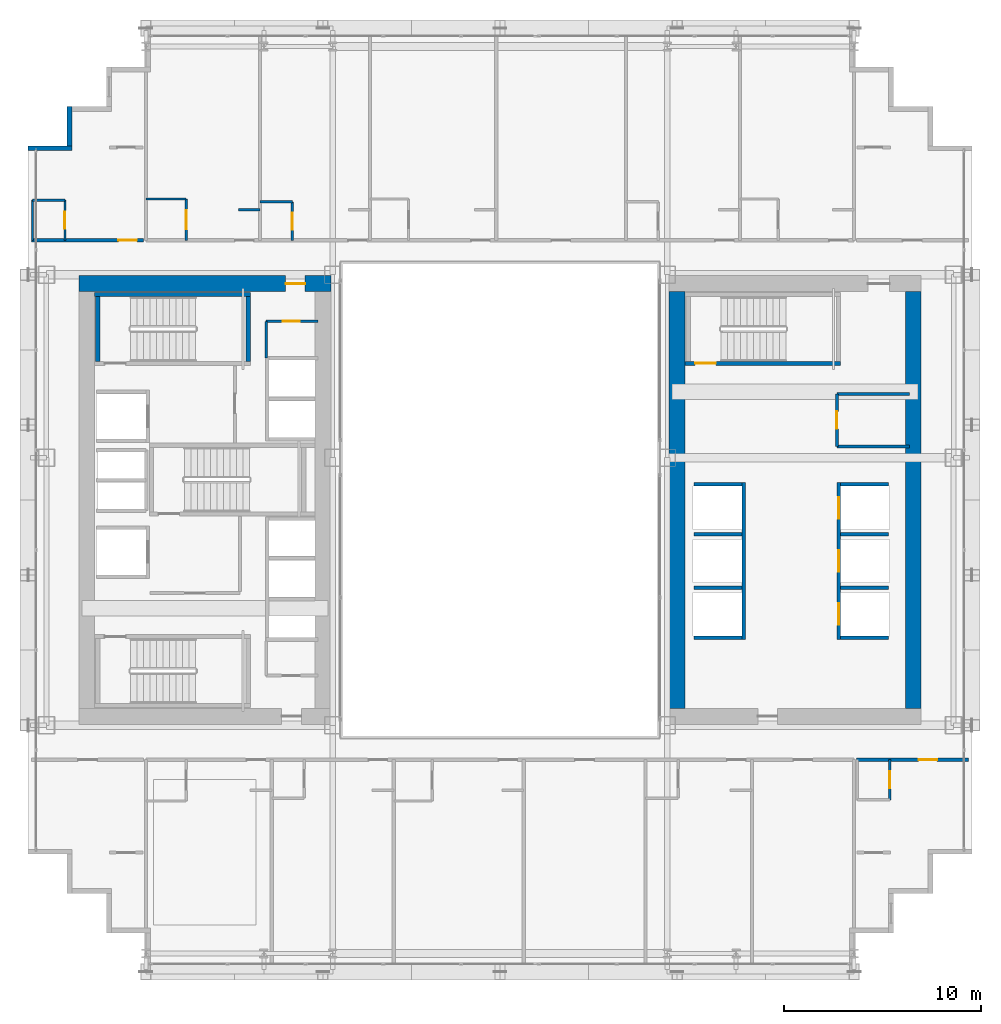
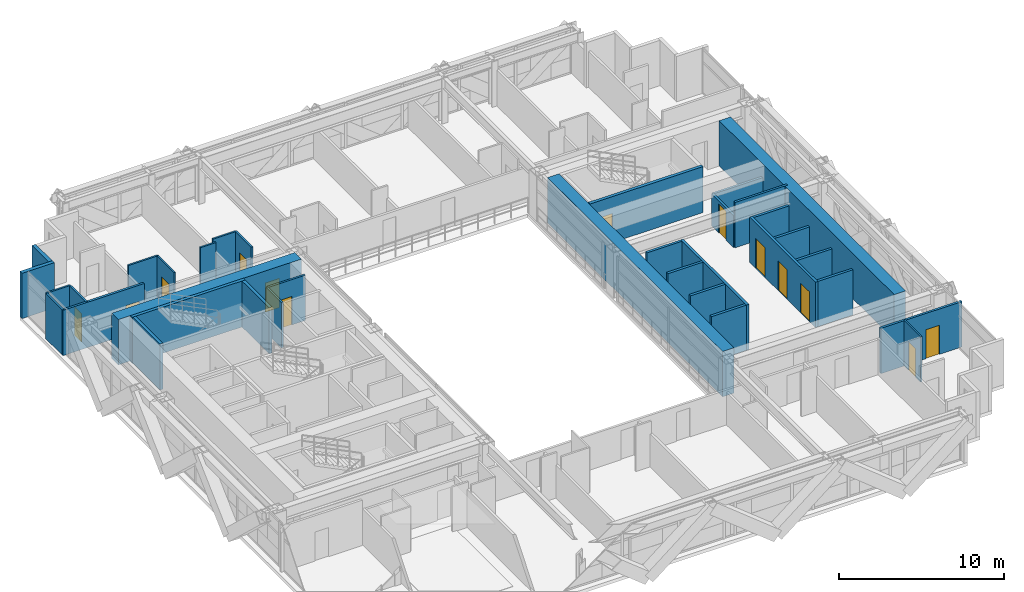
# One storey, part 35 of 41: 35 walls, 13 doors, 13 openings.
"""IFC4 building model written with IfcOpenShell, lengths in metres."""

from ifc_helpers import new_model, si_unit, direction, frame, frame_2d, origin, place, context, subcontext, project, spatial, rectangle, extrude, source, transform, mapped, material, layer, layer_set, type_object, element, fill, save


model = new_model("IFC4")

# Units and contexts
model_context = context("Model", 3, precision=1e-05, world=origin(), true_north=direction((0.0, 1.0)))
body_context = subcontext(model_context, "Body", "Model", "MODEL_VIEW")
ifc_project = project(units=[si_unit("LENGTHUNIT", "METRE"), si_unit("AREAUNIT", "SQUARE_METRE"), si_unit("VOLUMEUNIT", "CUBIC_METRE"), si_unit("PLANEANGLEUNIT", "RADIAN"), si_unit("MASSUNIT", "GRAM", prefix="KILO")], contexts=[model_context])

# Site, building, storey
site_placement = place(None, origin())
site = spatial("IfcSite", under=ifc_project, at=site_placement, CompositionType="ELEMENT")
building_placement = place(site_placement, origin())
building = spatial("IfcBuilding", under=site, at=building_placement, Name="Ocotamira Hotel", CompositionType="ELEMENT")
storey_placement = place(building_placement, frame((0.0, 0.0, 52.800048828125)))
storey = spatial("IfcBuildingStorey", under=building, at=storey_placement, Name="L12", CompositionType="ELEMENT", Elevation=52.800048828125)

# Wall, opening, door
ifc_material_1 = material(Name="Concrete C60/75", Category="concrete")
ifc_layer_1 = layer(ifc_material_1, 0.800048828125)
ifc_layer_set_1 = layer_set([ifc_layer_1], Name="Concrete C60/75")
wall_type_1 = type_object("IfcWallType", Name="WL-CORE-800", PredefinedType="SHEAR", material=ifc_layer_set_1)
wall_1_placement = place(storey_placement, frame((10.60009765625, 37.0, 0.0), z_axis=(0.0, 0.0, 1.0), x_axis=(1.0, 0.0, 0.0)))
wall_1 = element("IfcWall", 1, at=wall_1_placement, inside=storey, type_object=wall_type_1, Name="L12 Shear Core Wall WCORE-N", PredefinedType="SHEAR", context=body_context, shape_type="SweptSolid", body=[
    extrude(rectangle(XDim=12.7998046875, YDim=0.800048828125, at=frame_2d((6.39990234375, 0.0))), origin(), (0.0, 0.0, 1.0), 3.349853515625),
])
opening_1_placement = place(wall_1_placement, frame((10.5, 0.0, 0.0)))
opening_1 = element("IfcOpeningElement", 2, at=opening_1_placement, cuts=wall_1, Name="Opening D-FR2", PredefinedType="OPENING", context=body_context, shape_type="SweptSolid", body=[
    extrude(rectangle(XDim=1.0, YDim=2.14990234375, at=frame_2d((0.5, 1.074951171875))), frame((0.0, 0.41015625, 0.0), z_axis=(0.0, -1.0, 0.0), x_axis=(1.0, 0.0, 0.0)), (0.0, 0.0, 1.0), 0.820068359375),
])
ifc_material_2 = material(Name="Fire-rated acoustic timber-veneer door", Category="wood")
door_type_1 = type_object("IfcDoorType", Name="DR-FIRE-1000", OperationType="NOTDEFINED", PredefinedType="DOOR", material=ifc_material_2)
shared_shape_1 = source(origin(), body_context, "Body", "SweptSolid", [
    extrude(rectangle(XDim=1.0, YDim=2.14990234375, at=frame_2d((0.5, 1.074951171875))), frame((0.0, 0.02490234375, 0.0), z_axis=(0.0, -1.0, 0.0), x_axis=(1.0, 0.0, 0.0)), (0.0, 0.0, 1.0), 0.050048828125),
])
door_1_placement = place(opening_1_placement, origin())
door_1 = element("IfcDoor", 3, at=door_1_placement, inside=storey, type_object=door_type_1, Name="L12 Door ID-L12-WLOB-N-D [ID-L12-WLOB-N-D]", OperationType="SINGLE_SWING_RIGHT", OverallHeight=2.14990234375, OverallWidth=1.0, PredefinedType="DOOR", context=body_context, shape_type="MappedRepresentation", body=[
    mapped(shared_shape_1, transform((0.0, 0.0, 0.0), scale=1.0)),
])
fill(opening_1, door_1)

# Walls
for number, where, z_axis, x_axis, name in (
    (4, (41.0, 15.39990234375, 0.0), (0.0, 0.0, 1.0), (0.0, 1.0, 0.0), "L12 Shear Core Wall ECORE-W"),
    (5, (53.0, 15.39990234375, 0.0), (0.0, 0.0, 1.0), (0.0, 1.0, 0.0), "L12 Shear Core Wall ECORE-E"),
):
    element("IfcWall", number, at=place(storey_placement, frame(where, z_axis=z_axis, x_axis=x_axis)), inside=storey, type_object=wall_type_1, Name=name, PredefinedType="SHEAR", context=body_context, shape_type="SweptSolid", body=[
        extrude(rectangle(XDim=21.2001953125, YDim=0.800048828125, at=frame_2d((10.60009765625, 0.0))), origin(), (0.0, 0.0, 1.0), 3.349853515625),
    ])
ifc_material_3 = material(Name="Precast concrete C45/55", Category="concrete")
ifc_layer_2 = layer(ifc_material_3, 0.25)
ifc_layer_set_2 = layer_set([ifc_layer_2], Name="Precast concrete C45/55")
wall_type_2 = type_object("IfcWallType", Name="WL-EXT-SER-250", PredefinedType="SOLIDWALL", material=ifc_layer_set_2)
wall_2_placement = place(storey_placement, frame((10.125, 46.0, 0.0), z_axis=(0.0, 0.0, 1.0), x_axis=(0.0, -1.0, 0.0)))
element("IfcWall", 6, at=wall_2_placement, inside=storey, type_object=wall_type_2, Name="L12 Serrated Corner Wall 17", PredefinedType="SOLIDWALL", context=body_context, shape_type="SweptSolid", body=[
    extrude(rectangle(XDim=2.0, YDim=0.25, at=frame_2d((1.0, 0.0))), origin(), (0.0, 0.0, 1.0), 3.349853515625),
])
wall_3_placement = place(storey_placement, frame((10.25, 43.875, 0.0), z_axis=(0.0, 0.0, 1.0), x_axis=(-1.0, 0.0, 0.0)))
element("IfcWall", 7, at=wall_3_placement, inside=storey, type_object=wall_type_2, Name="L12 Serrated Corner Wall 18", PredefinedType="SOLIDWALL", context=body_context, shape_type="SweptSolid", body=[
    extrude(rectangle(XDim=2.25, YDim=0.25, at=frame_2d((1.125, 0.0))), origin(), (0.0, 0.0, 1.0), 3.349853515625),
])
ifc_material_4 = material(Name="Acoustic double-layer fire gypsum board partition", Category="gypsum")
ifc_layer_3 = layer(ifc_material_4, 0.159912109375)
ifc_layer_set_3 = layer_set([ifc_layer_3], Name="Acoustic double-layer fire gypsum board partition")
wall_type_3 = type_object("IfcWallType", Name="WL-FIRE-160", PredefinedType="PARTITIONING", material=ifc_layer_set_3)
wall_4_placement = place(storey_placement, frame((49.1201171875, 28.719970703125, 0.0), z_axis=(0.0, 0.0, 1.0), x_axis=(1.0, 0.0, 0.0)))
element("IfcWall", 8, at=wall_4_placement, inside=storey, type_object=wall_type_3, Name="L12 Interior Wall PW-L12-EC-NEC-S", PredefinedType="PARTITIONING", context=body_context, shape_type="SweptSolid", body=[
    extrude(rectangle(XDim=3.679931640625, YDim=0.159912109375, at=frame_2d((1.83984375, 0.0))), origin(), (0.0, 0.0, 1.0), 3.349853515625),
])
wall_5_placement = place(storey_placement, frame((49.1201171875, 31.3798828125, 0.0), z_axis=(0.0, 0.0, 1.0), x_axis=(1.0, 0.0, 0.0)))
element("IfcWall", 9, at=wall_5_placement, inside=storey, type_object=wall_type_3, Name="L12 Interior Wall PW-L12-EC-NEC-N", PredefinedType="PARTITIONING", context=body_context, shape_type="SweptSolid", body=[
    extrude(rectangle(XDim=3.679931640625, YDim=0.159912109375, at=frame_2d((1.83984375, 0.0))), origin(), (0.0, 0.0, 1.0), 2.35986328125),
])

# Wall, opening, door
wall_6_placement = place(storey_placement, frame((49.1201171875, 28.719970703125, 0.0), z_axis=(0.0, 0.0, 1.0), x_axis=(0.0, 1.0, 0.0)))
wall_6 = element("IfcWall", 10, at=wall_6_placement, inside=storey, type_object=wall_type_3, Name="L12 Interior Wall PW-L12-EC-NEC-W", PredefinedType="PARTITIONING", context=body_context, shape_type="SweptSolid", body=[
    extrude(rectangle(XDim=2.659912109375, YDim=0.159912109375, at=frame_2d((1.330078125, 0.0))), origin(), (0.0, 0.0, 1.0), 2.35986328125),
])
opening_2_placement = place(wall_6_placement, frame((0.89990234375, 0.0, 0.0)))
opening_2 = element("IfcOpeningElement", 11, at=opening_2_placement, cuts=wall_6, Name="Opening D-SV2", PredefinedType="OPENING", context=body_context, shape_type="SweptSolid", body=[
    extrude(rectangle(XDim=0.8798828125, YDim=2.14990234375, at=frame_2d((0.43994140625, 1.074951171875))), frame((0.0, 0.08984375, 0.0), z_axis=(0.0, -1.0, 0.0), x_axis=(1.0, 0.0, 0.0)), (0.0, 0.0, 1.0), 0.179931640625),
])
ifc_material_5 = material(Name="Fire-rated painted steel service door", Category="steel")
door_type_2 = type_object("IfcDoorType", Name="DR-SERV-880", OperationType="NOTDEFINED", PredefinedType="DOOR", material=ifc_material_5)
shared_shape_2 = source(origin(), body_context, "Body", "SweptSolid", [
    extrude(rectangle(XDim=0.8798828125, YDim=2.14990234375, at=frame_2d((0.43994140625, 1.074951171875))), frame((0.0, 0.02490234375, 0.0), z_axis=(0.0, -1.0, 0.0), x_axis=(1.0, 0.0, 0.0)), (0.0, 0.0, 1.0), 0.050048828125),
])
door_2_placement = place(opening_2_placement, origin())
door_2 = element("IfcDoor", 12, at=door_2_placement, inside=storey, type_object=door_type_2, Name="L12 Door ID-L12-EC-NEC-D [ID-L12-EC-NEC-D]", OperationType="SINGLE_SWING_LEFT", OverallHeight=2.14990234375, OverallWidth=0.8798828125, PredefinedType="DOOR", context=body_context, shape_type="MappedRepresentation", body=[
    mapped(shared_shape_2, transform((0.0, 0.0, 0.0), scale=1.0)),
])
fill(opening_2, door_2)

wall_7_placement = place(storey_placement, frame((50.1201171875, 12.800048828125, 0.0), z_axis=(0.0, 0.0, 1.0), x_axis=(1.0, 0.0, 0.0)))
wall_7 = element("IfcWall", 13, at=wall_7_placement, inside=storey, type_object=wall_type_3, Name="L12 Interior Wall PW-L12-Z1B-CSE-CW", PredefinedType="PARTITIONING", context=body_context, shape_type="SweptSolid", body=[
    extrude(rectangle(XDim=5.679931640625, YDim=0.159912109375, at=frame_2d((2.83984375, 0.0))), origin(), (0.0, 0.0, 1.0), 3.349853515625),
])
opening_3_placement = place(wall_7_placement, frame((3.14990234375, 0.0, 0.0)))
opening_3 = element("IfcOpeningElement", 14, at=opening_3_placement, cuts=wall_7, Name="Opening D-GR1", PredefinedType="OPENING", context=body_context, shape_type="SweptSolid", body=[
    extrude(rectangle(XDim=0.93994140625, YDim=2.14990234375, at=frame_2d((0.469970703125, 1.074951171875))), frame((0.0, 0.08984375, 0.0), z_axis=(0.0, -1.0, 0.0), x_axis=(1.0, 0.0, 0.0)), (0.0, 0.0, 1.0), 0.179931640625),
])
ifc_material_6 = material(Name="Solid-core walnut suite entrance fire door", Category="wood")
door_type_3 = type_object("IfcDoorType", Name="DR-GUEST-940", OperationType="NOTDEFINED", PredefinedType="DOOR", material=ifc_material_6)
shared_shape_3 = source(origin(), body_context, "Body", "SweptSolid", [
    extrude(rectangle(XDim=0.93994140625, YDim=2.14990234375, at=frame_2d((0.469970703125, 1.074951171875))), frame((0.0, 0.02490234375, 0.0), z_axis=(0.0, -1.0, 0.0), x_axis=(1.0, 0.0, 0.0)), (0.0, 0.0, 1.0), 0.050048828125),
])
door_3_placement = place(opening_3_placement, origin())
door_3 = element("IfcDoor", 15, at=door_3_placement, inside=storey, type_object=door_type_3, Name="L12 Door ID-L12-Z1B-CSE-CD [ID-L12-Z1B-CSE-CD]", OperationType="SINGLE_SWING_RIGHT", OverallHeight=2.14990234375, OverallWidth=0.93994140625, PredefinedType="DOOR", context=body_context, shape_type="MappedRepresentation", body=[
    mapped(shared_shape_3, transform((0.0, 0.0, 0.0), scale=1.0)),
])
fill(opening_3, door_3)

wall_8_placement = place(storey_placement, frame((8.199951171875, 39.199951171875, 0.0), z_axis=(0.0, 0.0, 1.0), x_axis=(1.0, 0.0, 0.0)))
wall_8 = element("IfcWall", 16, at=wall_8_placement, inside=storey, type_object=wall_type_3, Name="L12 Interior Wall PW-L12-Z1B-CNW-CW", PredefinedType="PARTITIONING", context=body_context, shape_type="SweptSolid", body=[
    extrude(rectangle(XDim=5.679931640625, YDim=0.159912109375, at=frame_2d((2.83984375, 0.0))), origin(), (0.0, 0.0, 1.0), 3.349853515625),
])
opening_4_placement = place(wall_8_placement, frame((4.39990234375, 0.0, 0.0)))
opening_4 = element("IfcOpeningElement", 17, at=opening_4_placement, cuts=wall_8, Name="Opening D-GR1", PredefinedType="OPENING", context=body_context, shape_type="SweptSolid", body=[
    extrude(rectangle(XDim=0.93994140625, YDim=2.14990234375, at=frame_2d((0.469970703125, 1.074951171875))), frame((0.0, 0.08984375, 0.0), z_axis=(0.0, -1.0, 0.0), x_axis=(1.0, 0.0, 0.0)), (0.0, 0.0, 1.0), 0.179931640625),
])
door_4_placement = place(opening_4_placement, origin())
door_4 = element("IfcDoor", 18, at=door_4_placement, inside=storey, type_object=door_type_3, Name="L12 Door ID-L12-Z1B-CNW-CD [ID-L12-Z1B-CNW-CD]", OperationType="SINGLE_SWING_RIGHT", OverallHeight=2.14990234375, OverallWidth=0.93994140625, PredefinedType="DOOR", context=body_context, shape_type="MappedRepresentation", body=[
    mapped(shared_shape_3, transform((0.0, 0.0, 0.0), scale=1.0)),
])
fill(opening_4, door_4)

ifc_material_7 = material(Name="Moisture-resistant en-suite tile and gypsum partition", Category="gypsum")
ifc_layer_4 = layer(ifc_material_7, 0.1201171875)
ifc_layer_set_4 = layer_set([ifc_layer_4], Name="Moisture-resistant en-suite tile and gypsum partition")
wall_type_4 = type_object("IfcWallType", Name="WL-PART-120", PredefinedType="PARTITIONING", material=ifc_layer_set_4)
wall_9_placement = place(storey_placement, frame((51.81005859375, 10.760009765625, 0.0), z_axis=(0.0, 0.0, 1.0), x_axis=(0.0, 1.0, 0.0)))
wall_9 = element("IfcWall", 19, at=wall_9_placement, inside=storey, type_object=wall_type_4, Name="L12 Interior Wall PW-L12-Z1B-CSE-BE", PredefinedType="PARTITIONING", context=body_context, shape_type="SweptSolid", body=[
    extrude(rectangle(XDim=2.0400390625, YDim=0.1201171875, at=frame_2d((1.02001953125, 0.0))), origin(), (0.0, 0.0, 1.0), 3.349853515625),
])
opening_5_placement = place(wall_9_placement, frame((0.590087890625, 0.0, 0.0)))
opening_5 = element("IfcOpeningElement", 20, at=opening_5_placement, cuts=wall_9, Name="Opening D-BA1", PredefinedType="OPENING", context=body_context, shape_type="SweptSolid", body=[
    extrude(rectangle(XDim=0.860107421875, YDim=2.10009765625, at=frame_2d((0.43017578125, 1.050048828125))), frame((0.0, 0.070068359375, 0.0), z_axis=(0.0, -1.0, 0.0), x_axis=(1.0, 0.0, 0.0)), (0.0, 0.0, 1.0), 0.14013671875),
])
ifc_material_8 = material(Name="Moisture-sealed en-suite timber door", Category="wood")
door_type_4 = type_object("IfcDoorType", Name="DR-BATH-860", OperationType="NOTDEFINED", PredefinedType="DOOR", material=ifc_material_8)
shared_shape_4 = source(origin(), body_context, "Body", "SweptSolid", [
    extrude(rectangle(XDim=0.860107421875, YDim=2.10009765625, at=frame_2d((0.43017578125, 1.050048828125))), frame((0.0, 0.02490234375, 0.0), z_axis=(0.0, -1.0, 0.0), x_axis=(1.0, 0.0, 0.0)), (0.0, 0.0, 1.0), 0.050048828125),
])
door_5_placement = place(opening_5_placement, origin())
door_5 = element("IfcDoor", 21, at=door_5_placement, inside=storey, type_object=door_type_4, Name="L12 Door ID-L12-Z1B-CSE-BD [ID-L12-Z1B-CSE-BD]", OperationType="SINGLE_SWING_LEFT", OverallHeight=2.10009765625, OverallWidth=0.860107421875, PredefinedType="DOOR", context=body_context, shape_type="MappedRepresentation", body=[
    mapped(shared_shape_4, transform((0.0, 0.0, 0.0), scale=1.0)),
])
fill(opening_5, door_5)

wall_10_placement = place(storey_placement, frame((9.889892578125, 39.199951171875, 0.0), z_axis=(0.0, 0.0, 1.0), x_axis=(0.0, 1.0, 0.0)))
wall_10 = element("IfcWall", 22, at=wall_10_placement, inside=storey, type_object=wall_type_4, Name="L12 Interior Wall PW-L12-Z1B-CNW-BE", PredefinedType="PARTITIONING", context=body_context, shape_type="SweptSolid", body=[
    extrude(rectangle(XDim=2.0400390625, YDim=0.1201171875, at=frame_2d((1.02001953125, 0.0))), origin(), (0.0, 0.0, 1.0), 3.349853515625),
])
opening_6_placement = place(wall_10_placement, frame((0.590087890625, 0.0, 0.0)))
opening_6 = element("IfcOpeningElement", 23, at=opening_6_placement, cuts=wall_10, Name="Opening D-BA1", PredefinedType="OPENING", context=body_context, shape_type="SweptSolid", body=[
    extrude(rectangle(XDim=0.860107421875, YDim=2.10009765625, at=frame_2d((0.43017578125, 1.050048828125))), frame((0.0, 0.070068359375, 0.0), z_axis=(0.0, -1.0, 0.0), x_axis=(1.0, 0.0, 0.0)), (0.0, 0.0, 1.0), 0.14013671875),
])
door_6_placement = place(opening_6_placement, origin())
door_6 = element("IfcDoor", 24, at=door_6_placement, inside=storey, type_object=door_type_4, Name="L12 Door ID-L12-Z1B-CNW-BD [ID-L12-Z1B-CNW-BD]", OperationType="SINGLE_SWING_LEFT", OverallHeight=2.10009765625, OverallWidth=0.860107421875, PredefinedType="DOOR", context=body_context, shape_type="MappedRepresentation", body=[
    mapped(shared_shape_4, transform((0.0, 0.0, 0.0), scale=1.0)),
])
fill(opening_6, door_6)

# Walls
wall_11_placement = place(storey_placement, frame((8.239990234375, 39.199951171875, 0.0), z_axis=(0.0, 0.0, 1.0), x_axis=(0.0, 1.0, 0.0)))
element("IfcWall", 25, at=wall_11_placement, inside=storey, type_object=wall_type_4, Name="L12 Interior Wall PW-L12-Z1B-CNW-BW", PredefinedType="PARTITIONING", context=body_context, shape_type="SweptSolid", body=[
    extrude(rectangle(XDim=2.0400390625, YDim=0.1201171875, at=frame_2d((1.02001953125, 0.0))), origin(), (0.0, 0.0, 1.0), 3.349853515625),
])
wall_12_placement = place(storey_placement, frame((8.239990234375, 41.239990234375, 0.0), z_axis=(0.0, 0.0, 1.0), x_axis=(1.0, 0.0, 0.0)))
element("IfcWall", 26, at=wall_12_placement, inside=storey, type_object=wall_type_4, Name="L12 Interior Wall PW-L12-Z1B-CNW-BH", PredefinedType="PARTITIONING", context=body_context, shape_type="SweptSolid", body=[
    extrude(rectangle(XDim=1.64990234375, YDim=0.1201171875, at=frame_2d((0.824951171875, 0.0))), origin(), (0.0, 0.0, 1.0), 3.349853515625),
])

# Wall, opening, door
wall_13_placement = place(storey_placement, frame((16.050048828125, 39.199951171875, 0.0), z_axis=(0.0, 0.0, 1.0), x_axis=(0.0, 1.0, 0.0)))
wall_13 = element("IfcWall", 27, at=wall_13_placement, inside=storey, type_object=wall_type_4, Name="L12 Interior Wall PW-L12-Z1BN-BAE1", PredefinedType="PARTITIONING", context=body_context, shape_type="SweptSolid", body=[
    extrude(rectangle(XDim=2.10009765625, YDim=0.1201171875, at=frame_2d((1.050048828125, 0.0))), origin(), (0.0, 0.0, 1.0), 3.349853515625),
])
opening_7_placement = place(wall_13_placement, frame((0.570068359375, 0.0, 0.0)))
opening_7 = element("IfcOpeningElement", 28, at=opening_7_placement, cuts=wall_13, Name="Opening D-IN1", PredefinedType="OPENING", context=body_context, shape_type="SweptSolid", body=[
    extrude(rectangle(XDim=0.9599609375, YDim=2.14990234375, at=frame_2d((0.47998046875, 1.074951171875))), frame((0.0, 0.070068359375, 0.0), z_axis=(0.0, -1.0, 0.0), x_axis=(1.0, 0.0, 0.0)), (0.0, 0.0, 1.0), 0.14013671875),
])
ifc_material_9 = material(Name="Accessible walnut interior room door", Category="wood")
door_type_5 = type_object("IfcDoorType", Name="DR-INT-960", OperationType="NOTDEFINED", PredefinedType="DOOR", material=ifc_material_9)
shared_shape_5 = source(origin(), body_context, "Body", "SweptSolid", [
    extrude(rectangle(XDim=0.9599609375, YDim=2.14990234375, at=frame_2d((0.47998046875, 1.074951171875))), frame((0.0, 0.02490234375, 0.0), z_axis=(0.0, -1.0, 0.0), x_axis=(1.0, 0.0, 0.0)), (0.0, 0.0, 1.0), 0.050048828125),
])
door_7_placement = place(opening_7_placement, origin())
door_7 = element("IfcDoor", 29, at=door_7_placement, inside=storey, type_object=door_type_5, Name="L12 Door ID-L12-Z1BN-BAD1 [ID-L12-Z1BN-BAD1]", OperationType="SINGLE_SWING_RIGHT", OverallHeight=2.14990234375, OverallWidth=0.9599609375, PredefinedType="DOOR", context=body_context, shape_type="MappedRepresentation", body=[
    mapped(shared_shape_5, transform((0.0, 0.0, 0.0), scale=1.0)),
])
fill(opening_7, door_7)

# Walls
wall_14_placement = place(storey_placement, frame((14.0, 41.300048828125, 0.0), z_axis=(0.0, 0.0, 1.0), x_axis=(1.0, 0.0, 0.0)))
element("IfcWall", 30, at=wall_14_placement, inside=storey, type_object=wall_type_4, Name="L12 Interior Wall PW-L12-Z1BN-BAN1", PredefinedType="PARTITIONING", context=body_context, shape_type="SweptSolid", body=[
    extrude(rectangle(XDim=2.050048828125, YDim=0.1201171875, at=frame_2d((1.02490234375, 0.0))), origin(), (0.0, 0.0, 1.0), 3.349853515625),
])
wall_15_placement = place(storey_placement, frame((18.699951171875, 40.75, 0.0), z_axis=(0.0, 0.0, 1.0), x_axis=(1.0, 0.0, 0.0)))
element("IfcWall", 31, at=wall_15_placement, inside=storey, type_object=wall_type_4, Name="L12 Interior Wall PW-L12-Z1BN-DRN1", PredefinedType="PARTITIONING", context=body_context, shape_type="SweptSolid", body=[
    extrude(rectangle(XDim=1.10009765625, YDim=0.1201171875, at=frame_2d((0.550048828125, 0.0))), origin(), (0.0, 0.0, 1.0), 3.349853515625),
])

# Wall, opening, door
wall_16_placement = place(storey_placement, frame((21.449951171875, 39.199951171875, 0.0), z_axis=(0.0, 0.0, 1.0), x_axis=(0.0, 1.0, 0.0)))
wall_16 = element("IfcWall", 32, at=wall_16_placement, inside=storey, type_object=wall_type_4, Name="L12 Interior Wall PW-L12-Z1BN-BAE2", PredefinedType="PARTITIONING", context=body_context, shape_type="SweptSolid", body=[
    extrude(rectangle(XDim=1.949951171875, YDim=0.1201171875, at=frame_2d((0.97509765625, 0.0))), origin(), (0.0, 0.0, 1.0), 3.349853515625),
])
opening_8_placement = place(wall_16_placement, frame((0.544921875, 0.0, 0.0)))
opening_8 = element("IfcOpeningElement", 33, at=opening_8_placement, cuts=wall_16, Name="Opening D-BA1", PredefinedType="OPENING", context=body_context, shape_type="SweptSolid", body=[
    extrude(rectangle(XDim=0.860107421875, YDim=2.10009765625, at=frame_2d((0.43017578125, 1.050048828125))), frame((0.0, 0.070068359375, 0.0), z_axis=(0.0, -1.0, 0.0), x_axis=(1.0, 0.0, 0.0)), (0.0, 0.0, 1.0), 0.14013671875),
])
door_8_placement = place(opening_8_placement, origin())
door_8 = element("IfcDoor", 34, at=door_8_placement, inside=storey, type_object=door_type_4, Name="L12 Door ID-L12-Z1BN-BAD2 [ID-L12-Z1BN-BAD2]", OperationType="SINGLE_SWING_LEFT", OverallHeight=2.10009765625, OverallWidth=0.860107421875, PredefinedType="DOOR", context=body_context, shape_type="MappedRepresentation", body=[
    mapped(shared_shape_4, transform((0.0, 0.0, 0.0), scale=1.0)),
])
fill(opening_8, door_8)

# Walls
wall_17_placement = place(storey_placement, frame((19.800048828125, 41.14990234375, 0.0), z_axis=(0.0, 0.0, 1.0), x_axis=(1.0, 0.0, 0.0)))
element("IfcWall", 35, at=wall_17_placement, inside=storey, type_object=wall_type_4, Name="L12 Interior Wall PW-L12-Z1BN-BAN2", PredefinedType="PARTITIONING", context=body_context, shape_type="SweptSolid", body=[
    extrude(rectangle(XDim=1.64990234375, YDim=0.1201171875, at=frame_2d((0.824951171875, 0.0))), origin(), (0.0, 0.0, 1.0), 3.349853515625),
])
ifc_material_10 = material(Name="Acoustic hospitality gypsum board partition", Category="gypsum")
ifc_layer_5 = layer(ifc_material_10, 0.14208984375)
ifc_layer_set_5 = layer_set([ifc_layer_5], Name="Acoustic hospitality gypsum board partition")
wall_type_5 = type_object("IfcWallType", Name="WL-PART-142", PredefinedType="PARTITIONING", material=ifc_layer_set_5)
wall_18_placement = place(storey_placement, frame((20.1201171875, 33.219970703125, 0.0), z_axis=(0.0, 0.0, 1.0), x_axis=(0.0, 1.0, 0.0)))
element("IfcWall", 36, at=wall_18_placement, inside=storey, type_object=wall_type_5, Name="L12 Interior Wall PW-L12-WC-NE-W2", PredefinedType="PARTITIONING", context=body_context, shape_type="SweptSolid", body=[
    extrude(rectangle(XDim=1.860107421875, YDim=0.14208984375, at=frame_2d((0.93017578125, 0.0))), origin(), (0.0, 0.0, 1.0), 3.349853515625),
])

# Wall, opening, door
wall_19_placement = place(storey_placement, frame((20.1201171875, 35.080078125, 0.0), z_axis=(0.0, 0.0, 1.0), x_axis=(1.0, 0.0, 0.0)))
wall_19 = element("IfcWall", 37, at=wall_19_placement, inside=storey, type_object=wall_type_5, Name="L12 Interior Wall PW-L12-WC-NE-N2", PredefinedType="PARTITIONING", context=body_context, shape_type="SweptSolid", body=[
    extrude(rectangle(XDim=2.6298828125, YDim=0.14208984375, at=frame_2d((1.31494140625, 0.0))), origin(), (0.0, 0.0, 1.0), 3.349853515625),
])
opening_9_placement = place(wall_19_placement, frame((0.85009765625, 0.0, 0.0)))
opening_9 = element("IfcOpeningElement", 38, at=opening_9_placement, cuts=wall_19, Name="Opening D-SV1", PredefinedType="OPENING", context=body_context, shape_type="SweptSolid", body=[
    extrude(rectangle(XDim=0.840087890625, YDim=2.10009765625, at=frame_2d((0.419921875, 1.050048828125))), frame((0.0, 0.0810546875, 0.0), z_axis=(0.0, -1.0, 0.0), x_axis=(1.0, 0.0, 0.0)), (0.0, 0.0, 1.0), 0.162109375),
])
door_type_6 = type_object("IfcDoorType", Name="DR-SERV-840", OperationType="NOTDEFINED", PredefinedType="DOOR", material=ifc_material_5)
shared_shape_6 = source(origin(), body_context, "Body", "SweptSolid", [
    extrude(rectangle(XDim=0.840087890625, YDim=2.10009765625, at=frame_2d((0.419921875, 1.050048828125))), frame((0.0, 0.02490234375, 0.0), z_axis=(0.0, -1.0, 0.0), x_axis=(1.0, 0.0, 0.0)), (0.0, 0.0, 1.0), 0.050048828125),
])
door_9_placement = place(opening_9_placement, origin())
door_9 = element("IfcDoor", 39, at=door_9_placement, inside=storey, type_object=door_type_6, Name="L12 Door ID-L12-WC-NE-D2 [ID-L12-WC-NE-D2]", OperationType="SINGLE_SWING_RIGHT", OverallHeight=2.10009765625, OverallWidth=0.840087890625, PredefinedType="DOOR", context=body_context, shape_type="MappedRepresentation", body=[
    mapped(shared_shape_6, transform((0.0, 0.0, 0.0), scale=1.0)),
])
fill(opening_9, door_9)

# Wall, openings, doors
ifc_material_11 = material(Name="Fire-rated gypsum shaftliner board assembly", Category="gypsum")
ifc_layer_6 = layer(ifc_material_11, 0.179931640625)
ifc_layer_set_6 = layer_set([ifc_layer_6], Name="Fire-rated gypsum shaftliner board assembly")
wall_type_6 = type_object("IfcWallType", Name="WL-SHAFT-180", PredefinedType="SOLIDWALL", material=ifc_layer_set_6)
wall_20_placement = place(storey_placement, frame((49.2099609375, 18.919921875, 0.0), z_axis=(0.0, 0.0, 1.0), x_axis=(0.0, 1.0, 0.0)))
wall_20 = element("IfcWall", 40, at=wall_20_placement, inside=storey, type_object=wall_type_6, Name="L12 Interior Wall PW-L12-LFW-BANK-low-F", PredefinedType="SOLIDWALL", context=body_context, shape_type="SweptSolid", body=[
    extrude(rectangle(XDim=7.9599609375, YDim=0.179931640625, at=frame_2d((3.97998046875, 0.0))), origin(), (0.0, 0.0, 1.0), 3.349853515625),
])
opening_10_placement = place(wall_20_placement, frame((0.72998046875, 0.0, 0.0)))
opening_10 = element("IfcOpeningElement", 41, at=opening_10_placement, cuts=wall_20, Name="Opening LD-LF-P1", PredefinedType="OPENING", context=body_context, shape_type="SweptSolid", body=[
    extrude(rectangle(XDim=1.10009765625, YDim=2.199951171875, at=frame_2d((0.550048828125, 1.10009765625))), frame((0.0, 0.10009765625, 0.0), z_axis=(0.0, -1.0, 0.0), x_axis=(1.0, 0.0, 0.0)), (0.0, 0.0, 1.0), 0.199951171875),
])
opening_11_placement = place(wall_20_placement, frame((3.429931640625, 0.0, 0.0)))
opening_11 = element("IfcOpeningElement", 42, at=opening_11_placement, cuts=wall_20, Name="Opening LD-LF-P2", PredefinedType="OPENING", context=body_context, shape_type="SweptSolid", body=[
    extrude(rectangle(XDim=1.10009765625, YDim=2.199951171875, at=frame_2d((0.550048828125, 1.10009765625))), frame((0.0, 0.10009765625, 0.0), z_axis=(0.0, -1.0, 0.0), x_axis=(1.0, 0.0, 0.0)), (0.0, 0.0, 1.0), 0.199951171875),
])
opening_12_placement = place(wall_20_placement, frame((6.1298828125, 0.0, 0.0)))
opening_12 = element("IfcOpeningElement", 43, at=opening_12_placement, cuts=wall_20, Name="Opening LD-LF-P3", PredefinedType="OPENING", context=body_context, shape_type="SweptSolid", body=[
    extrude(rectangle(XDim=1.10009765625, YDim=2.199951171875, at=frame_2d((0.550048828125, 1.10009765625))), frame((0.0, 0.10009765625, 0.0), z_axis=(0.0, -1.0, 0.0), x_axis=(1.0, 0.0, 0.0)), (0.0, 0.0, 1.0), 0.199951171875),
])
ifc_material_12 = material(Name="Brushed pale-metal stainless elevator landing door", Category="steel")
door_type_7 = type_object("IfcDoorType", Name="DR-LIFT-1100", OperationType="NOTDEFINED", PredefinedType="DOOR", material=ifc_material_12)
shared_shape_7 = source(origin(), body_context, "Body", "SweptSolid", [
    extrude(rectangle(XDim=1.10009765625, YDim=2.199951171875, at=frame_2d((0.550048828125, 1.10009765625))), frame((0.0, 0.02490234375, 0.0), z_axis=(0.0, -1.0, 0.0), x_axis=(1.0, 0.0, 0.0)), (0.0, 0.0, 1.0), 0.050048828125),
])
door_10_placement = place(opening_10_placement, origin())
door_10 = element("IfcDoor", 44, at=door_10_placement, inside=storey, type_object=door_type_7, Name="L12 Landing Door LD-LF-P1 [ID-L12-LD-LF-P1]", OperationType="DOUBLE_DOOR_SLIDING", OverallHeight=2.199951171875, OverallWidth=1.10009765625, PredefinedType="DOOR", context=body_context, shape_type="MappedRepresentation", body=[
    mapped(shared_shape_7, transform((0.0, 0.0, 0.0), scale=1.0)),
])
fill(opening_10, door_10)
door_11_placement = place(opening_11_placement, origin())
door_11 = element("IfcDoor", 45, at=door_11_placement, inside=storey, type_object=door_type_7, Name="L12 Landing Door LD-LF-P2 [ID-L12-LD-LF-P2]", OperationType="DOUBLE_DOOR_SLIDING", OverallHeight=2.199951171875, OverallWidth=1.10009765625, PredefinedType="DOOR", context=body_context, shape_type="MappedRepresentation", body=[
    mapped(shared_shape_7, transform((0.0, 0.0, 0.0), scale=1.0)),
])
fill(opening_11, door_11)
door_12_placement = place(opening_12_placement, origin())
door_12 = element("IfcDoor", 46, at=door_12_placement, inside=storey, type_object=door_type_7, Name="L12 Landing Door LD-LF-P3 [ID-L12-LD-LF-P3]", OperationType="DOUBLE_DOOR_SLIDING", OverallHeight=2.199951171875, OverallWidth=1.10009765625, PredefinedType="DOOR", context=body_context, shape_type="MappedRepresentation", body=[
    mapped(shared_shape_7, transform((0.0, 0.0, 0.0), scale=1.0)),
])
fill(opening_12, door_12)

# Walls
for number, where, z_axis, x_axis, name in (
    (47, (49.300048828125, 19.010009765625, 0.0), (0.0, 0.0, 1.0), (1.0, 0.0, 0.0), "L12 Interior Wall PW-L12-LFW-BANK-low-S"),
    (48, (49.300048828125, 26.7900390625, 0.0), (0.0, 0.0, 1.0), (1.0, 0.0, 0.0), "L12 Interior Wall PW-L12-LFW-BANK-low-N"),
    (49, (49.300048828125, 21.550048828125, 0.0), (0.0, 0.0, 1.0), (1.0, 0.0, 0.0), "L12 Interior Wall PW-L12-LFW-DIV-LF-P1"),
    (50, (49.300048828125, 24.25, 0.0), (0.0, 0.0, 1.0), (1.0, 0.0, 0.0), "L12 Interior Wall PW-L12-LFW-DIV-LF-P2"),
):
    element("IfcWall", number, at=place(storey_placement, frame(where, z_axis=z_axis, x_axis=x_axis)), inside=storey, type_object=wall_type_6, Name=name, PredefinedType="SOLIDWALL", context=body_context, shape_type="SweptSolid", body=[
        extrude(rectangle(XDim=2.449951171875, YDim=0.179931640625, at=frame_2d((1.22509765625, 0.0))), origin(), (0.0, 0.0, 1.0), 3.349853515625),
    ])
wall_21_placement = place(storey_placement, frame((44.389892578125, 18.919921875, 0.0), z_axis=(0.0, 0.0, 1.0), x_axis=(0.0, 1.0, 0.0)))
element("IfcWall", 51, at=wall_21_placement, inside=storey, type_object=wall_type_6, Name="L12 Interior Wall PW-L12-LFW-BANK-mid-F", PredefinedType="SOLIDWALL", context=body_context, shape_type="SweptSolid", body=[
    extrude(rectangle(XDim=7.9599609375, YDim=0.179931640625, at=frame_2d((3.97998046875, 0.0))), origin(), (0.0, 0.0, 1.0), 3.349853515625),
])
for number, where, z_axis, x_axis, name in (
    (52, (41.85009765625, 19.010009765625, 0.0), (0.0, 0.0, 1.0), (1.0, 0.0, 0.0), "L12 Interior Wall PW-L12-LFW-BANK-mid-S"),
    (53, (41.85009765625, 26.7900390625, 0.0), (0.0, 0.0, 1.0), (1.0, 0.0, 0.0), "L12 Interior Wall PW-L12-LFW-BANK-mid-N"),
    (54, (41.85009765625, 21.550048828125, 0.0), (0.0, 0.0, 1.0), (1.0, 0.0, 0.0), "L12 Interior Wall PW-L12-LFW-DIV-LF-P4"),
    (55, (41.85009765625, 24.25, 0.0), (0.0, 0.0, 1.0), (1.0, 0.0, 0.0), "L12 Interior Wall PW-L12-LFW-DIV-LF-P5"),
):
    element("IfcWall", number, at=place(storey_placement, frame(where, z_axis=z_axis, x_axis=x_axis)), inside=storey, type_object=wall_type_6, Name=name, PredefinedType="SOLIDWALL", context=body_context, shape_type="SweptSolid", body=[
        extrude(rectangle(XDim=2.449951171875, YDim=0.179931640625, at=frame_2d((1.22509765625, 0.0))), origin(), (0.0, 0.0, 1.0), 3.349853515625),
    ])
ifc_material_13 = material(Name="Concrete C50/60", Category="concrete")
ifc_layer_7 = layer(ifc_material_13, 0.219970703125)
ifc_layer_set_7 = layer_set([ifc_layer_7], Name="Concrete C50/60")
wall_type_7 = type_object("IfcWallType", Name="WL-STAIR-220", PredefinedType="SHEAR", material=ifc_layer_set_7)
wall_22_placement = place(storey_placement, frame((11.39990234375, 36.43994140625, 0.0), z_axis=(0.0, 0.0, 1.0), x_axis=(1.0, 0.0, 0.0)))
element("IfcWall", 56, at=wall_22_placement, inside=storey, type_object=wall_type_7, Name="L12 Stair Shaft Structural Wall ST-2-N", PredefinedType="SHEAR", context=body_context, shape_type="SweptSolid", body=[
    extrude(rectangle(XDim=7.91015625, YDim=0.219970703125, at=frame_2d((3.955078125, 0.0))), origin(), (0.0, 0.0, 1.0), 3.39990234375),
])
for number, where, z_axis, x_axis, name in (
    (57, (11.56005859375, 33.050048828125, 0.0), (0.0, 0.0, 1.0), (0.0, 1.0, 0.0), "L12 Stair Shaft Structural Wall ST-2-W"),
    (58, (19.199951171875, 33.050048828125, 0.0), (0.0, 0.0, 1.0), (0.0, 1.0, 0.0), "L12 Stair Shaft Structural Wall ST-2-E"),
):
    element("IfcWall", number, at=place(storey_placement, frame(where, z_axis=z_axis, x_axis=x_axis)), inside=storey, type_object=wall_type_7, Name=name, PredefinedType="SHEAR", context=body_context, shape_type="SweptSolid", body=[
        extrude(rectangle(XDim=3.280029296875, YDim=0.219970703125, at=frame_2d((1.64013671875, 0.0))), origin(), (0.0, 0.0, 1.0), 3.39990234375),
    ])

# Wall, opening, door
wall_23_placement = place(storey_placement, frame((41.39990234375, 32.93994140625, 0.0), z_axis=(0.0, 0.0, 1.0), x_axis=(1.0, 0.0, 0.0)))
wall_23 = element("IfcWall", 59, at=wall_23_placement, inside=storey, type_object=wall_type_7, Name="L12 Stair Shaft Structural Wall ST-4-S", PredefinedType="SHEAR", context=body_context, shape_type="SweptSolid", body=[
    extrude(rectangle(XDim=7.91015625, YDim=0.219970703125, at=frame_2d((3.955078125, 0.0))), origin(), (0.0, 0.0, 1.0), 3.39990234375),
])
opening_13_placement = place(wall_23_placement, frame((0.52001953125, 0.0, 0.0)))
opening_13 = element("IfcOpeningElement", 60, at=opening_13_placement, cuts=wall_23, Name="Opening D-ST2", PredefinedType="OPENING", context=body_context, shape_type="SweptSolid", body=[
    extrude(rectangle(XDim=1.050048828125, YDim=2.14990234375, at=frame_2d((0.52490234375, 1.074951171875))), frame((0.0, 0.1201171875, 0.0), z_axis=(0.0, -1.0, 0.0), x_axis=(1.0, 0.0, 0.0)), (0.0, 0.0, 1.0), 0.239990234375),
])
ifc_material_14 = material(Name="Insulated painted hollow-metal fire exit door", Category="steel")
door_type_8 = type_object("IfcDoorType", Name="DR-STAIR-1050", OperationType="NOTDEFINED", PredefinedType="DOOR", material=ifc_material_14)
shared_shape_8 = source(origin(), body_context, "Body", "SweptSolid", [
    extrude(rectangle(XDim=1.050048828125, YDim=2.14990234375, at=frame_2d((0.52490234375, 1.074951171875))), frame((0.0, 0.02490234375, 0.0), z_axis=(0.0, -1.0, 0.0), x_axis=(1.0, 0.0, 0.0)), (0.0, 0.0, 1.0), 0.050048828125),
])
door_13_placement = place(opening_13_placement, origin())
door_13 = element("IfcDoor", 61, at=door_13_placement, inside=storey, type_object=door_type_8, Name="L12 Door ID-L12-STD-ST-4 [ID-L12-STD-ST-4]", OperationType="SINGLE_SWING_RIGHT", OverallHeight=2.14990234375, OverallWidth=1.050048828125, PredefinedType="DOOR", context=body_context, shape_type="MappedRepresentation", body=[
    mapped(shared_shape_8, transform((0.0, 0.0, 0.0), scale=1.0)),
])
fill(opening_13, door_13)

save(model, "model.ifc")
